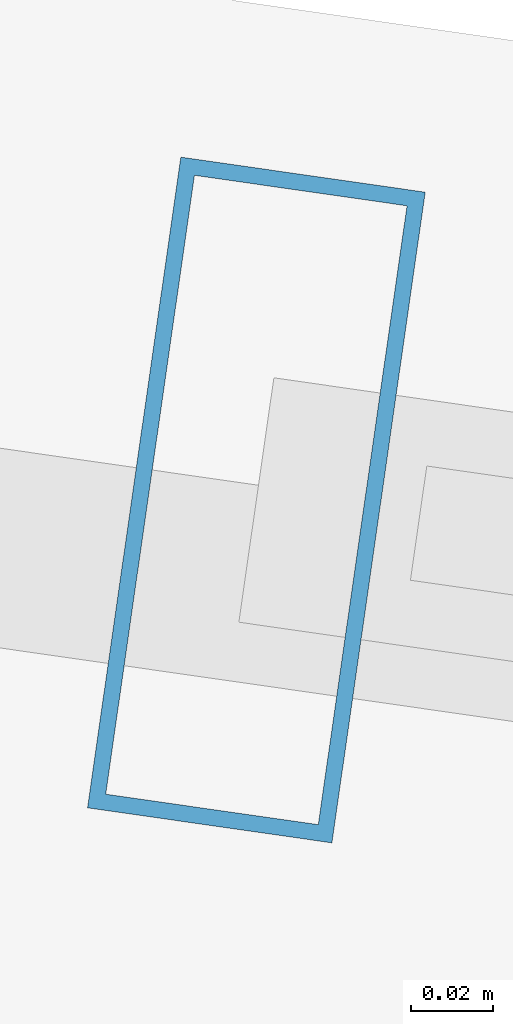
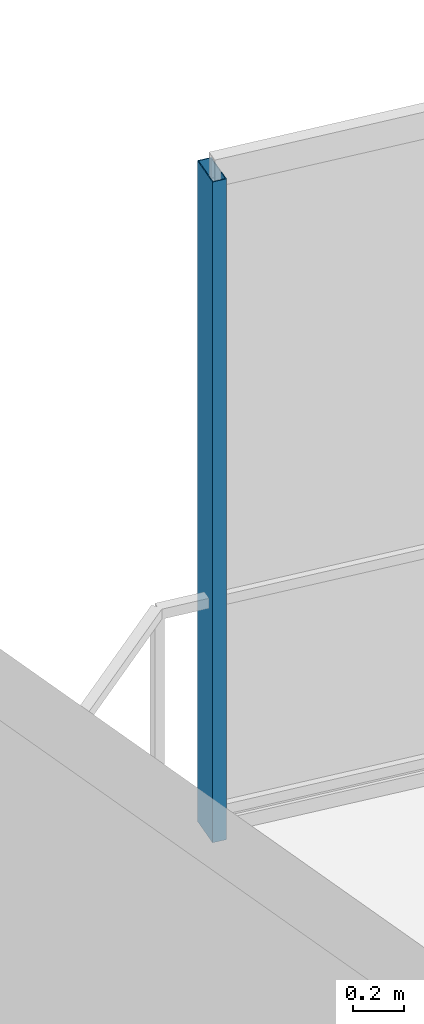
# One storey, part 18 of 32: 1 member, 1 element without a shape of its own.
"""IFC4 building model written with IfcOpenShell, lengths in metres."""

from ifc_helpers import new_model, si_unit, direction, frame, origin, origin_2d, place, context, subcontext, project, spatial, hollow_rectangle, extrude, material, layer, layer_set, material_profile, profile_set, type_object, element, aggregate, save


model = new_model("IFC4")

# Units and contexts
model_context = context("Model", 3, precision=1e-05, world=origin(), true_north=direction((0.0, 1.0)))
body_context = subcontext(model_context, "Body", "Model", "MODEL_VIEW")
ifc_project = project(units=[si_unit("LENGTHUNIT", "METRE"), si_unit("AREAUNIT", "SQUARE_METRE"), si_unit("VOLUMEUNIT", "CUBIC_METRE"), si_unit("PLANEANGLEUNIT", "RADIAN"), si_unit("MASSUNIT", "GRAM", prefix="KILO")], contexts=[model_context])

# Site, building, storey
site_placement = place(None, origin())
site = spatial("IfcSite", under=ifc_project, at=site_placement, CompositionType="ELEMENT")
building_placement = place(site_placement, origin())
building = spatial("IfcBuilding", under=site, at=building_placement, Name="Qarnah Convention Tower", CompositionType="ELEMENT")
storey_placement = place(building_placement, frame((0.0, 0.0, 37.35009765625)))
storey = spatial("IfcBuildingStorey", under=building, at=storey_placement, Name="L08", CompositionType="ELEMENT", Elevation=37.35009765625)

# Curtain wall, member
ifc_material_1 = material(Name="Tempered Low-E dark glass", Category="glass")
ifc_layer = layer(ifc_material_1, 0.16796875)
ifc_layer_set = layer_set([ifc_layer], Name="Tempered Low-E dark glass")
curtain_wall_type = type_object("IfcCurtainWallType", Name="CWS-01", PredefinedType="NOTDEFINED", material=ifc_layer_set)
curtain_wall_placement = place(storey_placement, origin())
curtain_wall = element("IfcCurtainWall", 1, at=curtain_wall_placement, inside=storey, type_object=curtain_wall_type, Name="L08 unitised curtain wall CW-L08-F2", PredefinedType="NOTDEFINED")
ifc_material_2 = material(Name="Black anodised aluminium", Category="aluminium")
ifc_material_profile = material_profile(ifc_material_2, hollow_rectangle(XDim=0.06005859375, YDim=0.159912109375, WallThickness=0.00390625, at=origin_2d()), Name="MUL-60X160")
ifc_profile_set = profile_set([ifc_material_profile], Name="Black anodised aluminium")
member_type = type_object("IfcMemberType", Name="MUL-T1", PredefinedType="MULLION", material=ifc_profile_set)
member_placement = place(storey_placement, frame((23.56103515625, 47.364990234375, 0.0), z_axis=(0.0, 0.0, 1.0), x_axis=(0.989875035809, -0.141941584753, 0.0)))
member = element("IfcMember", 2, at=member_placement, type_object=member_type, Name="CW-L08-F2 mullion 1", PredefinedType="MULLION", context=body_context, shape_type="SweptSolid", body=[
    extrude(hollow_rectangle(XDim=0.06005859375, YDim=0.159912109375, WallThickness=0.00390625, at=origin_2d()), origin(), (0.0, 0.0, 1.0), 3.169921875),
])
aggregate(curtain_wall, [member])

save(model, "model.ifc")
